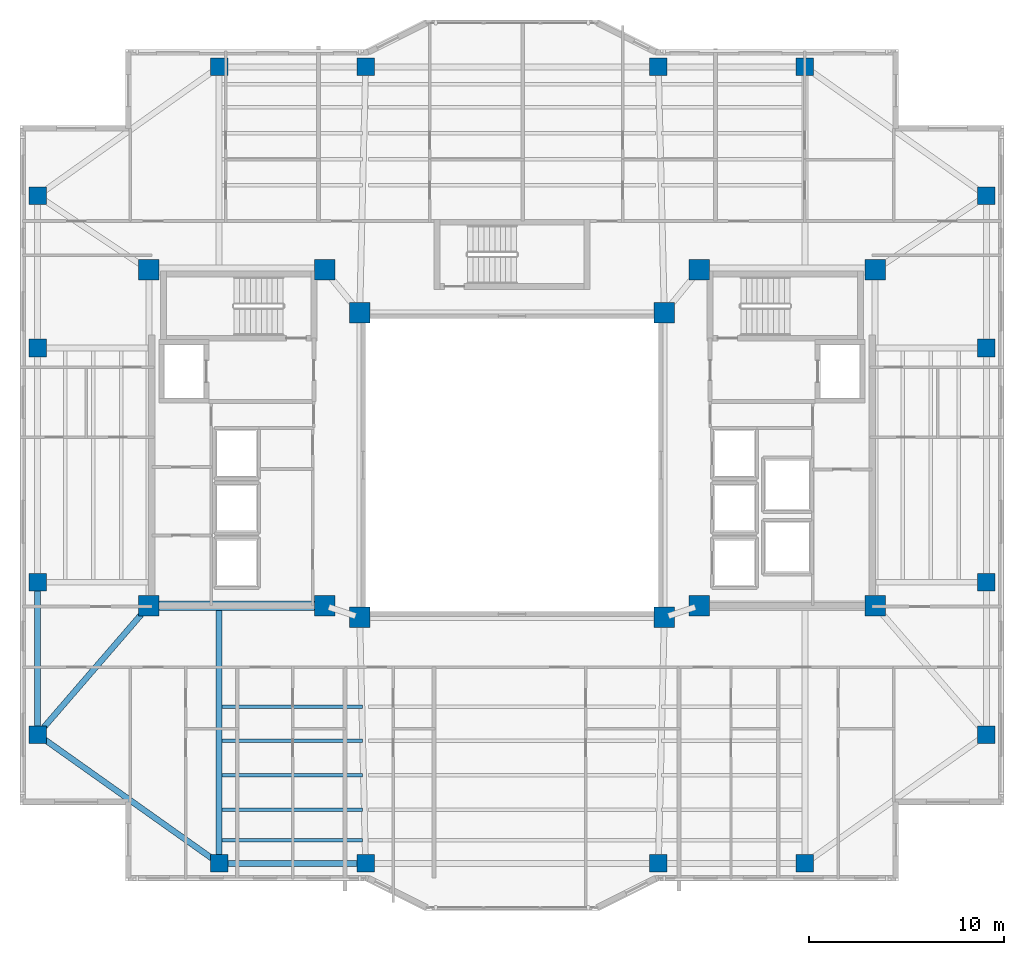
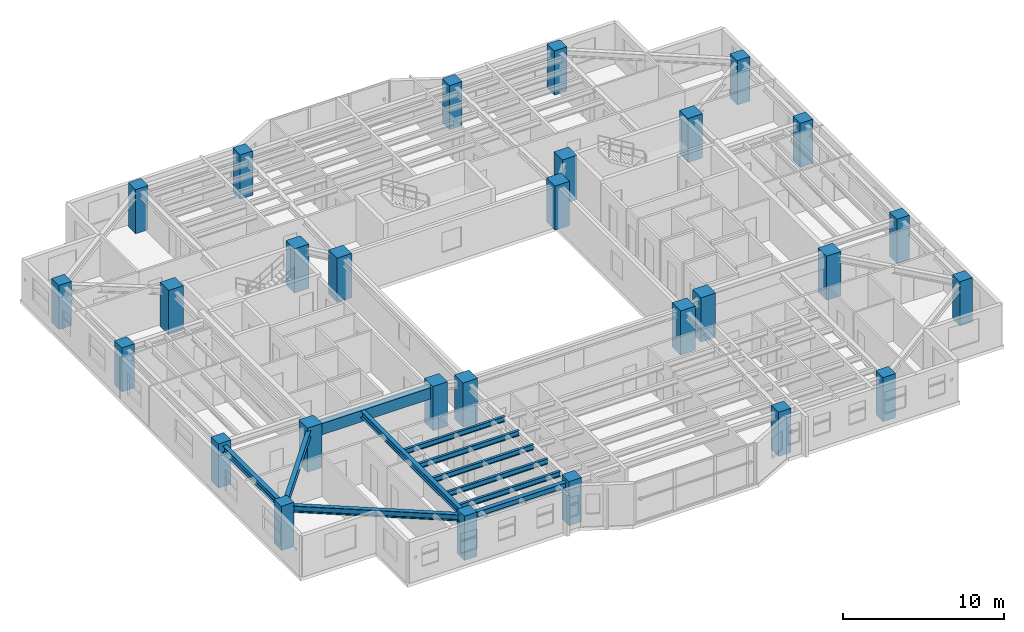
# One storey, part 1 of 16: 28 columns, 11 beams.
"""IFC4 building model written with IfcOpenShell, lengths in metres."""

from ifc_helpers import new_model, si_unit, direction, frame, origin, origin_2d, place, context, subcontext, project, spatial, rectangle, i_section, extrude, material, material_profile, profile_set, type_object, element, save


model = new_model("IFC4")

# Units and contexts
model_context = context("Model", 3, precision=1e-05, world=origin(), true_north=direction((0.0, 1.0)))
body_context = subcontext(model_context, "Body", "Model", "MODEL_VIEW")
ifc_project = project(units=[si_unit("LENGTHUNIT", "METRE"), si_unit("AREAUNIT", "SQUARE_METRE"), si_unit("VOLUMEUNIT", "CUBIC_METRE"), si_unit("PLANEANGLEUNIT", "RADIAN"), si_unit("MASSUNIT", "GRAM", prefix="KILO")], contexts=[model_context])

# Site, building, storey
site_placement = place(None, origin())
site = spatial("IfcSite", under=ifc_project, at=site_placement, CompositionType="ELEMENT")
building_placement = place(site_placement, origin())
building = spatial("IfcBuilding", under=site, at=building_placement, Name="Tarnavaz Court Tower", CompositionType="ELEMENT")
storey_placement = place(building_placement, frame((0.0, 0.0, 135.949951171875)))
storey = spatial("IfcBuildingStorey", under=building, at=storey_placement, Name="L36", CompositionType="ELEMENT", Elevation=135.949951171875)

# Columns
ifc_material_1 = material(Name="Concrete C60/75", Category="concrete")
ifc_material_profile_1 = material_profile(ifc_material_1, rectangle(XDim=1.050048828125, YDim=1.050048828125, at=origin_2d()), Name="RC 1050X1050")
ifc_profile_set_1 = profile_set([ifc_material_profile_1], Name="Concrete C60/75")
column_type_1 = type_object("IfcColumnType", Name="CL-RC1050", PredefinedType="COLUMN", material=ifc_profile_set_1)
for number, where, z_axis, x_axis, name in (
    (1, (-7.800048828125, -7.800048828125, 0.0), (0.0, 0.0, 1.0), (1.0, 0.0, 0.0), "L36 Column IW-SW"),
    (2, (7.800048828125, -7.800048828125, 0.0), (0.0, 0.0, 1.0), (1.0, 0.0, 0.0), "L36 Column IW-SE"),
    (3, (-7.800048828125, 7.800048828125, 0.0), (0.0, 0.0, 1.0), (1.0, 0.0, 0.0), "L36 Column IW-NW"),
    (4, (7.800048828125, 7.800048828125, 0.0), (0.0, 0.0, 1.0), (1.0, 0.0, 0.0), "L36 Column IW-NE"),
    (5, (-9.60009765625, -7.199951171875, 0.0), (0.0, 0.0, 1.0), (1.0, 0.0, 0.0), "L36 Column CW-SI"),
    (6, (-9.60009765625, 10.0, 0.0), (0.0, 0.0, 1.0), (1.0, 0.0, 0.0), "L36 Column CW-NI"),
    (7, (9.60009765625, -7.199951171875, 0.0), (0.0, 0.0, 1.0), (1.0, 0.0, 0.0), "L36 Column CE-SI"),
    (8, (9.60009765625, 10.0, 0.0), (0.0, 0.0, 1.0), (1.0, 0.0, 0.0), "L36 Column CE-NI"),
    (9, (-18.60009765625, -7.199951171875, 0.0), (0.0, 0.0, 1.0), (1.0, 0.0, 0.0), "L36 Column CW-SO"),
    (10, (-18.60009765625, 10.0, 0.0), (0.0, 0.0, 1.0), (1.0, 0.0, 0.0), "L36 Column CW-NO"),
    (11, (18.60009765625, -7.199951171875, 0.0), (0.0, 0.0, 1.0), (1.0, 0.0, 0.0), "L36 Column CE-SO"),
    (12, (18.60009765625, 10.0, 0.0), (0.0, 0.0, 1.0), (1.0, 0.0, 0.0), "L36 Column CE-NO"),
):
    element("IfcColumn", number, at=place(storey_placement, frame(where, z_axis=z_axis, x_axis=x_axis)), inside=storey, type_object=column_type_1, Name=name, PredefinedType="COLUMN", context=body_context, shape_type="SweptSolid", body=[
        extrude(rectangle(XDim=1.050048828125, YDim=1.050048828125, at=origin_2d()), origin(), (0.0, 0.0, 1.0), 3.35009765625),
    ])
ifc_material_2 = material(Name="Concrete C50/60", Category="concrete")
ifc_material_profile_2 = material_profile(ifc_material_2, rectangle(XDim=0.89990234375, YDim=0.89990234375, at=origin_2d()), Name="RC 900X900")
ifc_profile_set_2 = profile_set([ifc_material_profile_2], Name="Concrete C50/60")
column_type_2 = type_object("IfcColumnType", Name="CL-RC900", PredefinedType="COLUMN", material=ifc_profile_set_2)
for number, where, z_axis, x_axis, name in (
    (13, (-15.0, 20.39990234375, 0.0), (0.0, 0.0, 1.0), (1.0, 0.0, 0.0), "L36 Column PN-1"),
    (14, (-7.5, 20.39990234375, 0.0), (0.0, 0.0, 1.0), (1.0, 0.0, 0.0), "L36 Column PN-2"),
    (15, (7.5, 20.39990234375, 0.0), (0.0, 0.0, 1.0), (1.0, 0.0, 0.0), "L36 Column PN-3"),
    (16, (15.0, 20.39990234375, 0.0), (0.0, 0.0, 1.0), (1.0, 0.0, 0.0), "L36 Column PN-4"),
    (17, (-15.0, -20.39990234375, 0.0), (0.0, 0.0, 1.0), (1.0, 0.0, 0.0), "L36 Column PS-1"),
    (18, (-7.5, -20.39990234375, 0.0), (0.0, 0.0, 1.0), (1.0, 0.0, 0.0), "L36 Column PS-2"),
    (19, (7.5, -20.39990234375, 0.0), (0.0, 0.0, 1.0), (1.0, 0.0, 0.0), "L36 Column PS-3"),
    (20, (15.0, -20.39990234375, 0.0), (0.0, 0.0, 1.0), (1.0, 0.0, 0.0), "L36 Column PS-4"),
    (21, (24.300048828125, -13.800048828125, 0.0), (0.0, 0.0, 1.0), (1.0, 0.0, 0.0), "L36 Column PE-1"),
    (22, (24.300048828125, -6.0, 0.0), (0.0, 0.0, 1.0), (1.0, 0.0, 0.0), "L36 Column PE-2"),
    (23, (24.300048828125, 6.0, 0.0), (0.0, 0.0, 1.0), (1.0, 0.0, 0.0), "L36 Column PE-3"),
    (24, (24.300048828125, 13.800048828125, 0.0), (0.0, 0.0, 1.0), (1.0, 0.0, 0.0), "L36 Column PE-4"),
    (25, (-24.300048828125, -13.800048828125, 0.0), (0.0, 0.0, 1.0), (1.0, 0.0, 0.0), "L36 Column PW-1"),
    (26, (-24.300048828125, -6.0, 0.0), (0.0, 0.0, 1.0), (1.0, 0.0, 0.0), "L36 Column PW-2"),
    (27, (-24.300048828125, 6.0, 0.0), (0.0, 0.0, 1.0), (1.0, 0.0, 0.0), "L36 Column PW-3"),
    (28, (-24.300048828125, 13.800048828125, 0.0), (0.0, 0.0, 1.0), (1.0, 0.0, 0.0), "L36 Column PW-4"),
):
    element("IfcColumn", number, at=place(storey_placement, frame(where, z_axis=z_axis, x_axis=x_axis)), inside=storey, type_object=column_type_2, Name=name, PredefinedType="COLUMN", context=body_context, shape_type="SweptSolid", body=[
        extrude(rectangle(XDim=0.89990234375, YDim=0.89990234375, at=origin_2d()), origin(), (0.0, 0.0, 1.0), 3.35009765625),
    ])

# Beams
ifc_material_profile_3 = material_profile(ifc_material_2, rectangle(XDim=0.5, YDim=0.85009765625, at=origin_2d()), Name="RC 500X850")
ifc_profile_set_3 = profile_set([ifc_material_profile_3], Name="Concrete C50/60")
beam_type_1 = type_object("IfcBeamType", Name="BM-CB850", PredefinedType="LINTEL", material=ifc_profile_set_3)
beam_1_placement = place(storey_placement, frame((-18.3798828125, -7.199951171875, 2.675048828125), z_axis=(1.0, 0.0, 0.0), x_axis=(0.0, 1.0, 0.0)))
element("IfcBeam", 29, at=beam_1_placement, inside=storey, type_object=beam_type_1, Name="L36 Beam IN-CW-SO-CW-SI", PredefinedType="LINTEL", context=body_context, shape_type="SweptSolid", body=[
    extrude(rectangle(XDim=0.5, YDim=0.85009765625, at=origin_2d()), origin(), (0.0, 0.0, 1.0), 8.559814453125),
])
ifc_material_3 = material(Name="Steel S355", Category="steel")
ifc_material_profile_4 = material_profile(ifc_material_3, i_section(OverallWidth=0.300048828125, OverallDepth=0.5, WebThickness=0.014404296875, FlangeThickness=0.028076171875, FilletRadius=0.027099609375, at=origin_2d()), Name="HEB 500")
ifc_profile_set_4 = profile_set([ifc_material_profile_4], Name="Steel S355")
beam_type_2 = type_object("IfcBeamType", Name="BM-G-HEB500", PredefinedType="USERDEFINED", material=ifc_profile_set_4)
beam_2_placement = place(storey_placement, frame((-15.0, -7.239990234375, 2.85009765625), z_axis=(0.0, -1.0, 0.0), x_axis=(1.0, 0.0, 0.0)))
element("IfcBeam", 30, at=beam_2_placement, inside=storey, type_object=beam_type_2, Name="L36 Beam RG-05", ObjectType="GIRDER", PredefinedType="USERDEFINED", context=body_context, shape_type="SweptSolid", body=[
    extrude(i_section(OverallWidth=0.300048828125, OverallDepth=0.5, WebThickness=0.014404296875, FlangeThickness=0.028076171875, FilletRadius=0.027099609375, at=origin_2d()), origin(), (0.0, 0.0, 1.0), 12.93994140625),
])
beam_3_placement = place(storey_placement, frame((-18.743896484375, -7.366455078125, 2.85009765625), z_axis=(-0.653610659012, -0.756830962914, 0.0), x_axis=(0.756830962914, -0.653610659012, 0.0)))
element("IfcBeam", 31, at=beam_3_placement, inside=storey, type_object=beam_type_2, Name="L36 Beam RG-15", ObjectType="GIRDER", PredefinedType="USERDEFINED", context=body_context, shape_type="SweptSolid", body=[
    extrude(i_section(OverallWidth=0.300048828125, OverallDepth=0.5, WebThickness=0.014404296875, FlangeThickness=0.028076171875, FilletRadius=0.027099609375, at=origin_2d()), origin(), (0.0, 0.0, 1.0), 8.28076171875),
])
ifc_material_profile_5 = material_profile(ifc_material_3, i_section(OverallWidth=0.179931640625, OverallDepth=0.39990234375, WebThickness=0.008544921875, FlangeThickness=0.013427734375, FilletRadius=0.02099609375, at=origin_2d()), Name="IPE 400")
ifc_profile_set_5 = profile_set([ifc_material_profile_5], Name="Steel S355")
beam_type_3 = type_object("IfcBeamType", Name="BM-J-IPE400", PredefinedType="JOIST", material=ifc_profile_set_5)
for number, where, z_axis, x_axis, name in (
    (32, (-14.85009765625, -12.364013671875, 2.900146484375), (1.0, 0.0, 0.0), (0.0, 1.0, 0.0), "L36 Beam JS1-1"),
    (33, (-14.85009765625, -14.1279296875, 2.900146484375), (1.0, 0.0, 0.0), (0.0, 1.0, 0.0), "L36 Beam JS2-1"),
    (34, (-14.85009765625, -15.89208984375, 2.900146484375), (1.0, 0.0, 0.0), (0.0, 1.0, 0.0), "L36 Beam JS3-1"),
    (35, (-14.85009765625, -17.656005859375, 2.900146484375), (1.0, 0.0, 0.0), (0.0, 1.0, 0.0), "L36 Beam JS4-1"),
    (36, (-14.85009765625, -19.22412109375, 2.900146484375), (1.0, 0.0, 0.0), (0.0, 1.0, 0.0), "L36 Beam JS5-1"),
):
    element("IfcBeam", number, at=place(storey_placement, frame(where, z_axis=z_axis, x_axis=x_axis)), inside=storey, type_object=beam_type_3, Name=name, PredefinedType="JOIST", context=body_context, shape_type="SweptSolid", body=[
        extrude(i_section(OverallWidth=0.179931640625, OverallDepth=0.39990234375, WebThickness=0.008544921875, FlangeThickness=0.013427734375, FilletRadius=0.02099609375, at=origin_2d()), origin(), (0.0, 0.0, 1.0), 7.2001953125),
    ])
ifc_material_profile_6 = material_profile(ifc_material_3, i_section(OverallWidth=0.300048828125, OverallDepth=0.489990234375, WebThickness=0.011962890625, FlangeThickness=0.02294921875, FilletRadius=0.027099609375, at=origin_2d()), Name="HEA 500")
ifc_profile_set_6 = profile_set([ifc_material_profile_6], Name="Steel S355")
beam_type_4 = type_object("IfcBeamType", Name="BM-SP-HEA500", PredefinedType="SPANDREL", material=ifc_profile_set_6)
beam_4_placement = place(storey_placement, frame((-14.780029296875, -20.39990234375, 2.85498046875), z_axis=(1.0, 0.0, 0.0), x_axis=(0.0, 1.0, 0.0)))
element("IfcBeam", 37, at=beam_4_placement, inside=storey, type_object=beam_type_4, Name="L36 Beam PR-PS-1-PS-2", PredefinedType="SPANDREL", context=body_context, shape_type="SweptSolid", body=[
    extrude(i_section(OverallWidth=0.300048828125, OverallDepth=0.489990234375, WebThickness=0.011962890625, FlangeThickness=0.02294921875, FilletRadius=0.027099609375, at=origin_2d()), origin(), (0.0, 0.0, 1.0), 7.06005859375),
])
beam_5_placement = place(storey_placement, frame((-24.300048828125, -13.580078125, 2.85498046875), z_axis=(0.0, 1.0, 0.0), x_axis=(-1.0, 0.0, 0.0)))
element("IfcBeam", 38, at=beam_5_placement, inside=storey, type_object=beam_type_4, Name="L36 Beam PR-PW-1-PW-2", PredefinedType="SPANDREL", context=body_context, shape_type="SweptSolid", body=[
    extrude(i_section(OverallWidth=0.300048828125, OverallDepth=0.489990234375, WebThickness=0.011962890625, FlangeThickness=0.02294921875, FilletRadius=0.027099609375, at=origin_2d()), origin(), (0.0, 0.0, 1.0), 7.360107421875),
])
beam_6_placement = place(storey_placement, frame((-15.179443359375, -20.272705078125, 2.85498046875), z_axis=(-0.815502059396, 0.57875417158, 0.0), x_axis=(-0.57875417158, -0.815502059396, 0.0)))
element("IfcBeam", 39, at=beam_6_placement, inside=storey, type_object=beam_type_4, Name="L36 Beam PR-PS-1-PW-1", PredefinedType="SPANDREL", context=body_context, shape_type="SweptSolid", body=[
    extrude(i_section(OverallWidth=0.300048828125, OverallDepth=0.489990234375, WebThickness=0.011962890625, FlangeThickness=0.02294921875, FilletRadius=0.027099609375, at=origin_2d()), origin(), (0.0, 0.0, 1.0), 10.964111328125),
])

save(model, "model.ifc")
